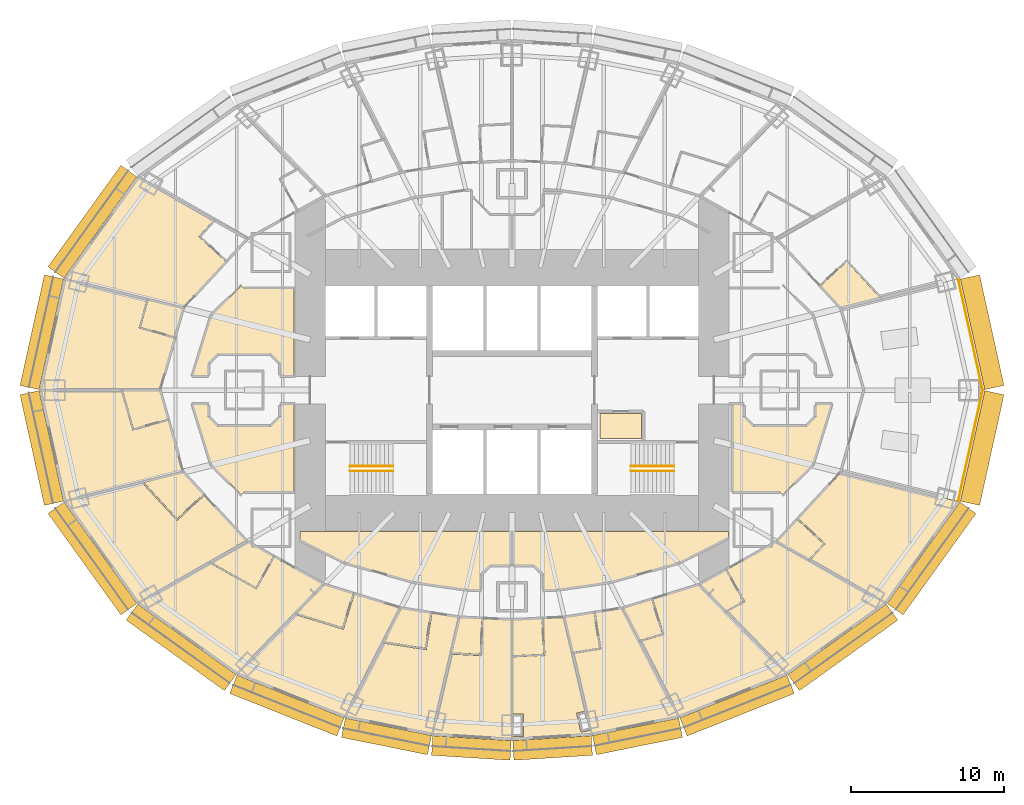
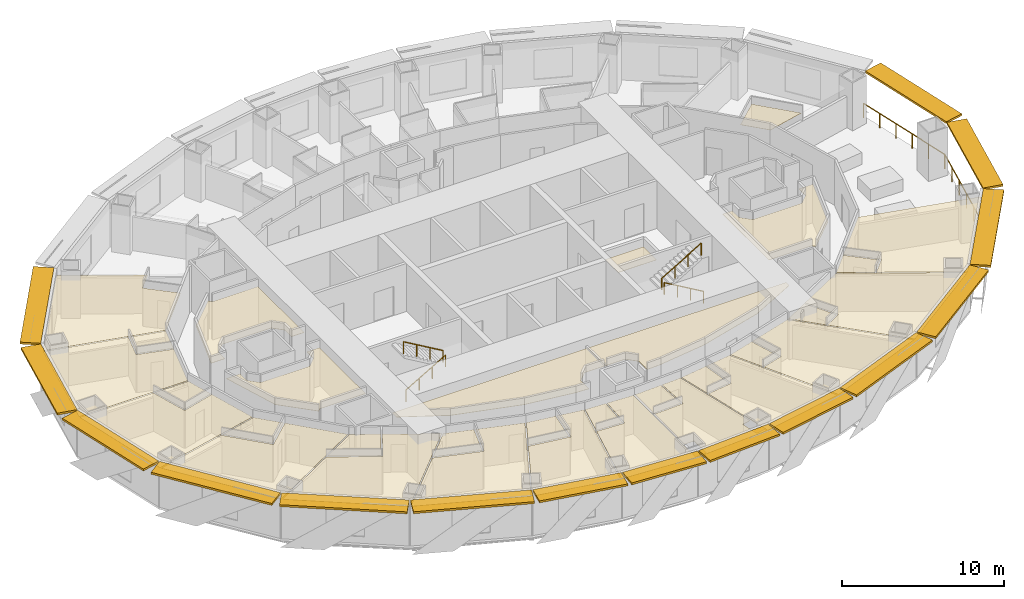
# One storey, part 16 of 17: 32 coverings, 15 shading devices, 6 railings.
"""IFC4 building model written with IfcOpenShell, lengths in metres."""

from ifc_helpers import new_model, si_unit, direction, frame, origin, origin_2d, place, context, subcontext, project, spatial, polyline, rectangle, circle, outline, extrude, material, layer, layer_set, type_object, element, save


model = new_model("IFC4")

# Units and contexts
model_context = context("Model", 3, precision=1e-05, world=origin(), true_north=direction((0.0, 1.0)))
body_context = subcontext(model_context, "Body", "Model", "MODEL_VIEW")
ifc_project = project(units=[si_unit("LENGTHUNIT", "METRE"), si_unit("AREAUNIT", "SQUARE_METRE"), si_unit("VOLUMEUNIT", "CUBIC_METRE"), si_unit("PLANEANGLEUNIT", "RADIAN"), si_unit("MASSUNIT", "GRAM", prefix="KILO")], contexts=[model_context])

# Site, building, storey
site_placement = place(None, origin())
site = spatial("IfcSite", under=ifc_project, at=site_placement, CompositionType="ELEMENT")
building_placement = place(site_placement, origin())
building = spatial("IfcBuilding", under=site, at=building_placement, Name="Lantaw Convention Tower", CompositionType="ELEMENT")
storey_placement = place(building_placement, frame((0.0, 0.0, 69.39990234375)))
storey = spatial("IfcBuildingStorey", under=building, at=storey_placement, Name="L15", CompositionType="ELEMENT", Elevation=69.39990234375)

# Railings
ifc_material_1 = material(Name="Stainless steel", Category="steel")
railing_type_1 = type_object("IfcRailingType", Name="Stair handrail", PredefinedType="HANDRAIL", material=ifc_material_1)
railing_1_placement = place(storey_placement, frame((-10.580078125, -5.280029296875, 0.163818359375)))
element("IfcRailing", 1, at=railing_1_placement, inside=storey, type_object=railing_type_1, Name="Stair handrail S1", PredefinedType="HANDRAIL", context=body_context, shape_type="SweptSolid", body=[
    extrude(circle(Radius=0.02392578125, at=origin_2d()), frame((0.0, 0.0, 0.8759765625), z_axis=(0.863393664356, 0.0, 0.504530851732), x_axis=(0.0, 1.0, 0.0)), (0.0, 0.0, 1.0), 3.2431640625),
    extrude(circle(Radius=0.02099609375, at=origin_2d()), origin(), (0.0, 0.0, 1.0), 0.851806640625),
    extrude(circle(Radius=0.02099609375, at=origin_2d()), frame((0.933349609375, 0.0, 0.54541015625)), (0.0, 0.0, 1.0), 0.851806640625),
    extrude(circle(Radius=0.02099609375, at=origin_2d()), frame((1.86669921875, 0.0, 1.0908203125)), (0.0, 0.0, 1.0), 0.851806640625),
    extrude(circle(Radius=0.02099609375, at=origin_2d()), frame((2.800048828125, 0.0, 1.63623046875)), (0.0, 0.0, 1.0), 0.851806640625),
])
railing_2_placement = place(storey_placement, frame((-7.780029296875, -4.97998046875, 1.963623046875)))
element("IfcRailing", 2, at=railing_2_placement, inside=storey, type_object=railing_type_1, Name="Stair handrail S1", PredefinedType="HANDRAIL", context=body_context, shape_type="SweptSolid", body=[
    extrude(circle(Radius=0.02392578125, at=origin_2d()), frame((0.0, 0.0, 0.8759765625), z_axis=(-0.863360870873, 0.0, 0.504586966384), x_axis=(0.0, -1.0, 0.0)), (0.0, 0.0, 1.0), 3.2431640625),
    extrude(circle(Radius=0.02099609375, at=origin_2d()), origin(), (0.0, 0.0, 1.0), 0.851806640625),
    extrude(circle(Radius=0.02099609375, at=origin_2d()), frame((-0.933349609375, 0.0, 0.54541015625)), (0.0, 0.0, 1.0), 0.851806640625),
    extrude(circle(Radius=0.02099609375, at=origin_2d()), frame((-1.86669921875, 0.0, 1.091064453125)), (0.0, 0.0, 1.0), 0.851806640625),
    extrude(circle(Radius=0.02099609375, at=origin_2d()), frame((-2.800048828125, 0.0, 1.636474609375)), (0.0, 0.0, 1.0), 0.851806640625),
])
railing_3_placement = place(storey_placement, frame((10.580078125, -5.280029296875, 0.163818359375)))
element("IfcRailing", 3, at=railing_3_placement, inside=storey, type_object=railing_type_1, Name="Stair handrail S2", PredefinedType="HANDRAIL", context=body_context, shape_type="SweptSolid", body=[
    extrude(circle(Radius=0.02392578125, at=origin_2d()), frame((0.0, 0.0, 0.8759765625), z_axis=(-0.863393664356, 0.0, 0.504530851732), x_axis=(0.0, -1.0, 0.0)), (0.0, 0.0, 1.0), 3.2431640625),
    extrude(circle(Radius=0.02099609375, at=origin_2d()), origin(), (0.0, 0.0, 1.0), 0.851806640625),
    extrude(circle(Radius=0.02099609375, at=origin_2d()), frame((-0.933349609375, 0.0, 0.54541015625)), (0.0, 0.0, 1.0), 0.851806640625),
    extrude(circle(Radius=0.02099609375, at=origin_2d()), frame((-1.86669921875, 0.0, 1.0908203125)), (0.0, 0.0, 1.0), 0.851806640625),
    extrude(circle(Radius=0.02099609375, at=origin_2d()), frame((-2.800048828125, 0.0, 1.63623046875)), (0.0, 0.0, 1.0), 0.851806640625),
])
railing_4_placement = place(storey_placement, frame((7.780029296875, -4.97998046875, 1.963623046875)))
element("IfcRailing", 4, at=railing_4_placement, inside=storey, type_object=railing_type_1, Name="Stair handrail S2", PredefinedType="HANDRAIL", context=body_context, shape_type="SweptSolid", body=[
    extrude(circle(Radius=0.02392578125, at=origin_2d()), frame((0.0, 0.0, 0.8759765625), z_axis=(0.863360870873, 0.0, 0.504586966384), x_axis=(0.0, 1.0, 0.0)), (0.0, 0.0, 1.0), 3.2431640625),
    extrude(circle(Radius=0.02099609375, at=origin_2d()), origin(), (0.0, 0.0, 1.0), 0.851806640625),
    extrude(circle(Radius=0.02099609375, at=origin_2d()), frame((0.933349609375, 0.0, 0.54541015625)), (0.0, 0.0, 1.0), 0.851806640625),
    extrude(circle(Radius=0.02099609375, at=origin_2d()), frame((1.86669921875, 0.0, 1.091064453125)), (0.0, 0.0, 1.0), 0.851806640625),
    extrude(circle(Radius=0.02099609375, at=origin_2d()), frame((2.800048828125, 0.0, 1.636474609375)), (0.0, 0.0, 1.0), 0.851806640625),
])

# Coverings
ifc_material_2 = material(Name="Gypsum board on steel suspension grid", Category="steel")
ifc_layer = layer(ifc_material_2, 0.02001953125)
ifc_layer_set = layer_set([ifc_layer], Name="Suspended ceiling")
covering_type = type_object("IfcCoveringType", Name="Suspended ceiling", PredefinedType="CEILING", material=ifc_layer_set)
covering_1_placement = place(storey_placement, frame((0.0, 0.0, 2.85009765625)))
element("IfcCovering", 5, at=covering_1_placement, inside=storey, type_object=covering_type, Name="Staff WC ceiling", PredefinedType="CEILING", context=body_context, shape_type="SweptSolid", body=[
    extrude(outline(polyline([(5.739990234375, -3.159912109375), (8.4599609375, -3.159912109375), (8.4599609375, -1.5400390625), (5.739990234375, -1.5400390625), (5.739990234375, -3.159912109375)])), origin(), (0.0, 0.0, 1.0), 0.02001953125),
])
covering_2_placement = place(storey_placement, frame((0.0, 0.0, 2.85009765625)))
element("IfcCovering", 6, at=covering_2_placement, inside=storey, type_object=covering_type, Name="Housekeeping room ceiling", PredefinedType="CEILING", context=body_context, shape_type="SweptSolid", body=[
    extrude(outline(polyline([(-20.8671875, 0.93994140625), (-19.864990234375, 0.93994140625), (-19.864990234375, 1.7412109375), (-19.2412109375, 2.364990234375), (-15.7587890625, 2.364990234375), (-15.135009765625, 1.7412109375), (-15.135009765625, 0.93994140625), (-14.239990234375, 0.93994140625), (-14.239990234375, 6.635009765625), (-17.4912109375, 6.635009765625), (-17.68310546875, 6.8271484375), (-19.6455078125, 4.885498046875), (-20.8671875, 0.93994140625)])), origin(), (0.0, 0.0, 1.0), 0.02001953125),
])
covering_3_placement = place(storey_placement, frame((0.0, 0.0, 2.85009765625)))
element("IfcCovering", 7, at=covering_3_placement, inside=storey, type_object=covering_type, Name="Staff locker room ceiling", PredefinedType="CEILING", context=body_context, shape_type="SweptSolid", body=[
    extrude(outline(polyline([(-10.90966796875, -11.275146484375), (-6.402587890625, -12.542724609375), (-3.0126953125, -13.02587890625), (-2.06494140625, -13.068115234375), (-2.06494140625, -12.058837890625), (-1.441162109375, -11.43505859375), (-0.0400390625, -11.43505859375), (-0.0400390625, -9.239990234375), (-13.860107421875, -9.239990234375), (-13.860107421875, -9.77490234375), (-10.90966796875, -11.275146484375)])), origin(), (0.0, 0.0, 1.0), 0.02001953125),
])
covering_4_placement = place(storey_placement, frame((0.0, 0.0, 2.85009765625)))
element("IfcCovering", 8, at=covering_4_placement, inside=storey, type_object=covering_type, Name="Staff room ceiling", PredefinedType="CEILING", context=body_context, shape_type="SweptSolid", body=[
    extrude(outline(polyline([(-20.8671875, -0.93994140625), (-19.6455078125, -4.885498046875), (-17.68310546875, -6.8271484375), (-17.4912109375, -6.635009765625), (-14.239990234375, -6.635009765625), (-14.239990234375, -0.93994140625), (-15.135009765625, -0.93994140625), (-15.135009765625, -1.7412109375), (-15.7587890625, -2.364990234375), (-19.2412109375, -2.364990234375), (-19.864990234375, -1.7412109375), (-19.864990234375, -0.93994140625), (-20.8671875, -0.93994140625)])), origin(), (0.0, 0.0, 1.0), 0.02001953125),
])
covering_5_placement = place(storey_placement, frame((0.0, 0.0, 2.85009765625)))
element("IfcCovering", 9, at=covering_5_placement, inside=storey, type_object=covering_type, Name="Guest ice and vending room ceiling", PredefinedType="CEILING", context=body_context, shape_type="SweptSolid", body=[
    extrude(outline(polyline([(2.06494140625, -13.068115234375), (3.0126953125, -13.02587890625), (6.402587890625, -12.542724609375), (10.90966796875, -11.275146484375), (14.159912109375, -9.622314453125), (14.159912109375, -9.239990234375), (0.0400390625, -9.239990234375), (0.0400390625, -11.43505859375), (1.441162109375, -11.43505859375), (2.06494140625, -12.058837890625), (2.06494140625, -13.068115234375)])), origin(), (0.0, 0.0, 1.0), 0.02001953125),
])
covering_6_placement = place(storey_placement, frame((0.0, 0.0, 2.85009765625)))
element("IfcCovering", 10, at=covering_6_placement, inside=storey, type_object=covering_type, Name="Room service pantry ceiling", PredefinedType="CEILING", context=body_context, shape_type="SweptSolid", body=[
    extrude(outline(polyline([(19.6455078125, -4.885498046875), (20.8671875, -0.93994140625), (19.864990234375, -0.93994140625), (19.864990234375, -1.7412109375), (19.2412109375, -2.364990234375), (15.7587890625, -2.364990234375), (15.135009765625, -1.7412109375), (15.135009765625, -0.93994140625), (14.43994140625, -0.93994140625), (14.43994140625, -6.635009765625), (17.4912109375, -6.635009765625), (17.68310546875, -6.8271484375), (19.6455078125, -4.885498046875)])), origin(), (0.0, 0.0, 1.0), 0.02001953125),
])
covering_7_placement = place(storey_placement, frame((0.0, 0.0, 2.85009765625)))
element("IfcCovering", 11, at=covering_7_placement, inside=storey, type_object=covering_type, Name="Guest bathroom ceiling", PredefinedType="CEILING", context=body_context, shape_type="SweptSolid", body=[
    extrude(outline(polyline([(21.496826171875, 5.40087890625), (24.064208984375, 6.041015625), (21.88671875, 8.397705078125), (20.182861328125, 6.8232421875), (21.496826171875, 5.40087890625)])), origin(), (0.0, 0.0, 1.0), 0.02001953125),
])
covering_8_placement = place(storey_placement, frame((0.0, 0.0, 2.85009765625)))
element("IfcCovering", 12, at=covering_8_placement, inside=storey, type_object=covering_type, Name="Guest room ceiling", PredefinedType="CEILING", context=body_context, shape_type="SweptSolid", body=[
    extrude(outline(polyline([(-21.496826171875, 5.40087890625), (-18.712890625, 8.4140625), (-20.4755859375, 10.042724609375), (-19.510986328125, 11.086669921875), (-24.423095703125, 13.8564453125), (-29.155029296875, 7.2783203125), (-21.496826171875, 5.40087890625)])), origin(), (0.0, 0.0, 1.0), 0.02001953125),
])
covering_9_placement = place(storey_placement, frame((0.0, 0.0, 2.85009765625)))
element("IfcCovering", 13, at=covering_9_placement, inside=storey, type_object=covering_type, Name="Guest bathroom ceiling", PredefinedType="CEILING", context=body_context, shape_type="SweptSolid", body=[
    extrude(outline(polyline([(-21.533203125, 5.32763671875), (-23.785400390625, 5.88916015625), (-24.288330078125, 4.113525390625), (-22.055908203125, 3.4814453125), (-21.533203125, 5.32763671875)])), origin(), (0.0, 0.0, 1.0), 0.02001953125),
])
covering_10_placement = place(storey_placement, frame((0.0, 0.0, 2.85009765625)))
element("IfcCovering", 14, at=covering_10_placement, inside=storey, type_object=covering_type, Name="Guest room ceiling", PredefinedType="CEILING", context=body_context, shape_type="SweptSolid", body=[
    extrude(outline(polyline([(-23.0302734375, 0.0400390625), (-22.07763671875, 3.404541015625), (-24.386962890625, 4.058349609375), (-23.86572265625, 5.8994140625), (-29.191650390625, 7.205078125), (-30.77099609375, 0.0400390625), (-23.0302734375, 0.0400390625)])), origin(), (0.0, 0.0, 1.0), 0.02001953125),
])
covering_11_placement = place(storey_placement, frame((0.0, 0.0, 2.85009765625)))
element("IfcCovering", 15, at=covering_11_placement, inside=storey, type_object=covering_type, Name="Guest bathroom ceiling", PredefinedType="CEILING", context=body_context, shape_type="SweptSolid", body=[
    extrude(outline(polyline([(-23.0302734375, -0.0400390625), (-25.44140625, -0.0400390625), (-24.73681640625, -2.52880859375), (-22.504638671875, -1.896728515625), (-23.0302734375, -0.0400390625)])), origin(), (0.0, 0.0, 1.0), 0.02001953125),
])
covering_12_placement = place(storey_placement, frame((0.0, 0.0, 2.85009765625)))
element("IfcCovering", 16, at=covering_12_placement, inside=storey, type_object=covering_type, Name="Guest room ceiling", PredefinedType="CEILING", context=body_context, shape_type="SweptSolid", body=[
    extrude(outline(polyline([(-22.48291015625, -1.9736328125), (-24.7919921875, -2.62744140625), (-25.524658203125, -0.0400390625), (-30.77099609375, -0.0400390625), (-29.191650390625, -7.205078125), (-21.533447265625, -5.327392578125), (-22.48291015625, -1.9736328125)])), origin(), (0.0, 0.0, 1.0), 0.02001953125),
])
covering_13_placement = place(storey_placement, frame((0.0, 0.0, 2.85009765625)))
element("IfcCovering", 17, at=covering_13_placement, inside=storey, type_object=covering_type, Name="Guest bathroom ceiling", PredefinedType="CEILING", context=body_context, shape_type="SweptSolid", body=[
    extrude(outline(polyline([(-21.496826171875, -5.40087890625), (-24.064208984375, -6.041015625), (-21.88671875, -8.397705078125), (-20.182861328125, -6.8232421875), (-21.496826171875, -5.40087890625)])), origin(), (0.0, 0.0, 1.0), 0.02001953125),
])
covering_14_placement = place(storey_placement, frame((0.0, 0.0, 2.85009765625)))
element("IfcCovering", 18, at=covering_14_placement, inside=storey, type_object=covering_type, Name="Guest room ceiling", PredefinedType="CEILING", context=body_context, shape_type="SweptSolid", body=[
    extrude(outline(polyline([(-17.36279296875, -9.875244140625), (-20.120361328125, -6.890625), (-21.891845703125, -8.527587890625), (-24.17431640625, -6.057373046875), (-29.155029296875, -7.2783203125), (-24.423095703125, -13.8564453125), (-17.36279296875, -9.875244140625)])), origin(), (0.0, 0.0, 1.0), 0.02001953125),
])
covering_15_placement = place(storey_placement, frame((0.0, 0.0, 2.85009765625)))
element("IfcCovering", 19, at=covering_15_placement, inside=storey, type_object=covering_type, Name="Guest bathroom ceiling", PredefinedType="CEILING", context=body_context, shape_type="SweptSolid", body=[
    extrude(outline(polyline([(-17.298828125, -9.93115234375), (-19.65234375, -11.276123046875), (-16.734619140625, -12.900634765625), (-15.60595703125, -10.87353515625), (-17.298828125, -9.93115234375)])), origin(), (0.0, 0.0, 1.0), 0.02001953125),
])
covering_16_placement = place(storey_placement, frame((0.0, 0.0, 2.85009765625)))
element("IfcCovering", 20, at=covering_16_placement, inside=storey, type_object=covering_type, Name="Guest room ceiling", PredefinedType="CEILING", context=body_context, shape_type="SweptSolid", body=[
    extrude(outline(polyline([(-19.75, -11.313232421875), (-24.3603515625, -13.912841796875), (-17.97509765625, -18.4892578125), (-12.322265625, -12.701904296875), (-15.5361328125, -10.91259765625), (-16.70361328125, -13.00927734375), (-19.75, -11.313232421875)])), origin(), (0.0, 0.0, 1.0), 0.02001953125),
])
covering_17_placement = place(storey_placement, frame((0.0, 0.0, 2.85009765625)))
element("IfcCovering", 21, at=covering_17_placement, inside=storey, type_object=covering_type, Name="Guest bathroom ceiling", PredefinedType="CEILING", context=body_context, shape_type="SweptSolid", body=[
    extrude(outline(polyline([(-12.245361328125, -12.738037109375), (-14.052001953125, -14.60888671875), (-11.0791015625, -15.525146484375), (-10.395751953125, -13.30810546875), (-12.245361328125, -12.738037109375)])), origin(), (0.0, 0.0, 1.0), 0.02001953125),
])
covering_18_placement = place(storey_placement, frame((0.0, 0.0, 2.85009765625)))
element("IfcCovering", 22, at=covering_18_placement, inside=storey, type_object=covering_type, Name="Guest room ceiling", PredefinedType="CEILING", context=body_context, shape_type="SweptSolid", body=[
    extrude(outline(polyline([(-14.140380859375, -14.677978515625), (-17.89990234375, -18.526611328125), (-10.930908203125, -21.294921875), (-7.310302734375, -14.2587890625), (-10.307861328125, -13.3349609375), (-11.01806640625, -15.64013671875), (-14.140380859375, -14.677978515625)])), origin(), (0.0, 0.0, 1.0), 0.02001953125),
])
covering_19_placement = place(storey_placement, frame((0.0, 0.0, 2.85009765625)))
element("IfcCovering", 23, at=covering_19_placement, inside=storey, type_object=covering_type, Name="Guest bathroom ceiling", PredefinedType="CEILING", context=body_context, shape_type="SweptSolid", body=[
    extrude(outline(polyline([(-7.23046875, -14.278564453125), (-8.338623046875, -16.45361328125), (-5.6806640625, -16.868896484375), (-5.322509765625, -14.57666015625), (-7.23046875, -14.278564453125)])), origin(), (0.0, 0.0, 1.0), 0.02001953125),
])
covering_20_placement = place(storey_placement, frame((0.0, 0.0, 2.85009765625)))
element("IfcCovering", 24, at=covering_20_placement, inside=storey, type_object=covering_type, Name="Guest room ceiling", PredefinedType="CEILING", context=body_context, shape_type="SweptSolid", body=[
    extrude(outline(polyline([(-3.47314453125, -14.86572265625), (-5.231689453125, -14.5908203125), (-5.60400390625, -16.97412109375), (-8.393310546875, -16.538330078125), (-10.85205078125, -21.31689453125), (-5.240966796875, -22.448974609375), (-3.47314453125, -14.86572265625)])), origin(), (0.0, 0.0, 1.0), 0.02001953125),
])
covering_21_placement = place(storey_placement, frame((0.0, 0.0, 2.85009765625)))
element("IfcCovering", 25, at=covering_21_placement, inside=storey, type_object=covering_type, Name="Guest bathroom ceiling", PredefinedType="CEILING", context=body_context, shape_type="SweptSolid", body=[
    extrude(outline(polyline([(-3.39306640625, -14.87451171875), (-3.92333984375, -17.17138671875), (-2.081298828125, -17.26123046875), (-1.968017578125, -14.94384765625), (-3.39306640625, -14.87451171875)])), origin(), (0.0, 0.0, 1.0), 0.02001953125),
])
covering_22_placement = place(storey_placement, frame((0.0, 0.0, 2.85009765625)))
element("IfcCovering", 26, at=covering_22_placement, inside=storey, type_object=covering_type, Name="Guest room ceiling", PredefinedType="CEILING", context=body_context, shape_type="SweptSolid", body=[
    extrude(outline(polyline([(-0.0400390625, -15.0380859375), (-1.876220703125, -14.948486328125), (-1.993896484375, -17.357666015625), (-3.94970703125, -17.26220703125), (-5.1611328125, -22.458984375), (-0.0400390625, -22.781982421875), (-0.0400390625, -15.0380859375)])), origin(), (0.0, 0.0, 1.0), 0.02001953125),
])
covering_23_placement = place(storey_placement, frame((0.0, 0.0, 2.85009765625)))
element("IfcCovering", 27, at=covering_23_placement, inside=storey, type_object=covering_type, Name="Guest bathroom ceiling", PredefinedType="CEILING", context=body_context, shape_type="SweptSolid", body=[
    extrude(outline(polyline([(0.0400390625, -15.0380859375), (0.0400390625, -17.36083984375), (2.07275390625, -17.26171875), (1.959716796875, -14.9443359375), (0.0400390625, -15.0380859375)])), origin(), (0.0, 0.0, 1.0), 0.02001953125),
])
covering_24_placement = place(storey_placement, frame((0.0, 0.0, 2.85009765625)))
element("IfcCovering", 28, at=covering_24_placement, inside=storey, type_object=covering_type, Name="Guest room ceiling", PredefinedType="CEILING", context=body_context, shape_type="SweptSolid", body=[
    extrude(outline(polyline([(2.03955078125, -14.9404296875), (2.156494140625, -17.337646484375), (0.0400390625, -17.44091796875), (0.0400390625, -21.159912109375), (0.739990234375, -21.159912109375), (0.739990234375, -22.639892578125), (0.0400390625, -22.639892578125), (0.0400390625, -22.781982421875), (5.1611328125, -22.458984375), (5.10693359375, -22.22705078125), (4.506591796875, -22.365478515625), (4.21875, -21.118408203125), (4.81640625, -20.98046875), (3.39306640625, -14.87451171875), (2.03955078125, -14.9404296875)])), origin(), (0.0, 0.0, 1.0), 0.02001953125),
])
covering_25_placement = place(storey_placement, frame((0.0, 0.0, 2.85009765625)))
element("IfcCovering", 29, at=covering_25_placement, inside=storey, type_object=covering_type, Name="Guest bathroom ceiling", PredefinedType="CEILING", context=body_context, shape_type="SweptSolid", body=[
    extrude(outline(polyline([(3.47314453125, -14.86572265625), (3.996337890625, -17.132080078125), (5.725341796875, -16.862060546875), (5.3671875, -14.56982421875), (3.47314453125, -14.86572265625)])), origin(), (0.0, 0.0, 1.0), 0.02001953125),
])
covering_26_placement = place(storey_placement, frame((0.0, 0.0, 2.85009765625)))
element("IfcCovering", 30, at=covering_26_placement, inside=storey, type_object=covering_type, Name="Guest room ceiling", PredefinedType="CEILING", context=body_context, shape_type="SweptSolid", body=[
    extrude(outline(polyline([(7.23046875, -14.278564453125), (5.446044921875, -14.557373046875), (5.816650390625, -16.9287109375), (4.01953125, -17.20947265625), (5.240966796875, -22.448974609375), (10.85205078125, -21.31689453125), (7.23046875, -14.278564453125)])), origin(), (0.0, 0.0, 1.0), 0.02001953125),
])
covering_27_placement = place(storey_placement, frame((0.0, 0.0, 2.85009765625)))
element("IfcCovering", 31, at=covering_27_placement, inside=storey, type_object=covering_type, Name="Guest bathroom ceiling", PredefinedType="CEILING", context=body_context, shape_type="SweptSolid", body=[
    extrude(outline(polyline([(7.31005859375, -14.2587890625), (8.379150390625, -16.357177734375), (9.821044921875, -15.912841796875), (9.1376953125, -13.695556640625), (7.31005859375, -14.2587890625)])), origin(), (0.0, 0.0, 1.0), 0.02001953125),
])
covering_28_placement = place(storey_placement, frame((0.0, 0.0, 2.85009765625)))
element("IfcCovering", 32, at=covering_28_placement, inside=storey, type_object=covering_type, Name="Guest room ceiling", PredefinedType="CEILING", context=body_context, shape_type="SweptSolid", body=[
    extrude(outline(polyline([(12.24560546875, -12.738037109375), (9.214111328125, -13.672119140625), (9.921142578125, -15.965576171875), (8.42578125, -16.426513671875), (10.930908203125, -21.294921875), (17.89990234375, -18.526611328125), (12.24560546875, -12.738037109375)])), origin(), (0.0, 0.0, 1.0), 0.02001953125),
])
covering_29_placement = place(storey_placement, frame((0.0, 0.0, 2.85009765625)))
element("IfcCovering", 33, at=covering_29_placement, inside=storey, type_object=covering_type, Name="Guest bathroom ceiling", PredefinedType="CEILING", context=body_context, shape_type="SweptSolid", body=[
    extrude(outline(polyline([(12.322021484375, -12.7021484375), (13.989501953125, -14.428955078125), (15.117431640625, -13.801025390625), (13.989013671875, -11.77392578125), (12.322021484375, -12.7021484375)])), origin(), (0.0, 0.0, 1.0), 0.02001953125),
])
covering_30_placement = place(storey_placement, frame((0.0, 0.0, 2.85009765625)))
element("IfcCovering", 34, at=covering_30_placement, inside=storey, type_object=covering_type, Name="Guest room ceiling", PredefinedType="CEILING", context=body_context, shape_type="SweptSolid", body=[
    extrude(outline(polyline([(14.058837890625, -11.735107421875), (15.226318359375, -13.83203125), (14.06005859375, -14.481201171875), (17.97509765625, -18.4892578125), (24.3603515625, -13.912841796875), (17.298828125, -9.930908203125), (14.058837890625, -11.735107421875)])), origin(), (0.0, 0.0, 1.0), 0.02001953125),
])
covering_31_placement = place(storey_placement, frame((0.0, 0.0, 2.85009765625)))
element("IfcCovering", 35, at=covering_31_placement, inside=storey, type_object=covering_type, Name="Guest bathroom ceiling", PredefinedType="CEILING", context=body_context, shape_type="SweptSolid", body=[
    extrude(outline(polyline([(17.362548828125, -9.87548828125), (19.4296875, -11.056640625), (20.362548828125, -10.047119140625), (18.658447265625, -8.47265625), (17.362548828125, -9.87548828125)])), origin(), (0.0, 0.0, 1.0), 0.02001953125),
])
covering_32_placement = place(storey_placement, frame((0.0, 0.0, 2.85009765625)))
element("IfcCovering", 36, at=covering_32_placement, inside=storey, type_object=covering_type, Name="Guest room ceiling", PredefinedType="CEILING", context=body_context, shape_type="SweptSolid", body=[
    extrude(outline(polyline([(21.496826171875, -5.40087890625), (18.712890625, -8.4140625), (20.4755859375, -10.042724609375), (19.510986328125, -11.086669921875), (24.423095703125, -13.8564453125), (29.155029296875, -7.2783203125), (21.496826171875, -5.40087890625)])), origin(), (0.0, 0.0, 1.0), 0.02001953125),
])

# Railings
ifc_material_3 = material(Name="Stainless steel posts and laminated glass, pale silver finish", Category="steel")
railing_type_2 = type_object("IfcRailingType", Name="Terrace guard railing 1100", PredefinedType="GUARDRAIL", material=ifc_material_3)
railing_5_placement = place(storey_placement, frame((30.76953125, 0.0, 0.0)))
element("IfcRailing", 37, at=railing_5_placement, inside=storey, type_object=railing_type_2, Name="Sky garden guard", PredefinedType="GUARDRAIL", context=body_context, shape_type="SweptSolid", body=[
    extrude(circle(Radius=0.02392578125, at=origin_2d()), frame((0.0, 0.0, 1.076171875), z_axis=(-0.215247863414, 0.976559448931, 0.0), x_axis=(-0.976559448931, -0.215247863414, 0.0)), (0.0, 0.0, 1.0), 7.406494140625),
    extrude(circle(Radius=0.02099609375, at=origin_2d()), origin(), (0.0, 0.0, 1.0), 1.052001953125),
    extrude(circle(Radius=0.02099609375, at=origin_2d()), frame((-0.31884765625, 1.446533203125, 0.0)), (0.0, 0.0, 1.0), 1.052001953125),
    extrude(circle(Radius=0.02099609375, at=origin_2d()), frame((-0.6376953125, 2.89306640625, 0.0)), (0.0, 0.0, 1.0), 1.052001953125),
    extrude(circle(Radius=0.02099609375, at=origin_2d()), frame((-0.95654296875, 4.33984375, 0.0)), (0.0, 0.0, 1.0), 1.052001953125),
    extrude(circle(Radius=0.02099609375, at=origin_2d()), frame((-1.275390625, 5.786376953125, 0.0)), (0.0, 0.0, 1.0), 1.052001953125),
    extrude(circle(Radius=0.02099609375, at=origin_2d()), frame((-1.59423828125, 7.23291015625, 0.0)), (0.0, 0.0, 1.0), 1.052001953125),
])
railing_6_placement = place(storey_placement, frame((29.17529296875, -7.23291015625, 0.0)))
element("IfcRailing", 38, at=railing_6_placement, inside=storey, type_object=railing_type_2, Name="Sky garden guard", PredefinedType="GUARDRAIL", context=body_context, shape_type="SweptSolid", body=[
    extrude(circle(Radius=0.02392578125, at=origin_2d()), frame((0.0, 0.0, 1.076171875), z_axis=(0.215247863414, 0.976559448931, 0.0), x_axis=(-0.976559448931, 0.215247863414, 0.0)), (0.0, 0.0, 1.0), 7.406494140625),
    extrude(circle(Radius=0.02099609375, at=origin_2d()), origin(), (0.0, 0.0, 1.0), 1.052001953125),
    extrude(circle(Radius=0.02099609375, at=origin_2d()), frame((0.31884765625, 1.446533203125, 0.0)), (0.0, 0.0, 1.0), 1.052001953125),
    extrude(circle(Radius=0.02099609375, at=origin_2d()), frame((0.6376953125, 2.89306640625, 0.0)), (0.0, 0.0, 1.0), 1.052001953125),
    extrude(circle(Radius=0.02099609375, at=origin_2d()), frame((0.95654296875, 4.33984375, 0.0)), (0.0, 0.0, 1.0), 1.052001953125),
    extrude(circle(Radius=0.02099609375, at=origin_2d()), frame((1.275390625, 5.786376953125, 0.0)), (0.0, 0.0, 1.0), 1.052001953125),
    extrude(circle(Radius=0.02099609375, at=origin_2d()), frame((1.59423828125, 7.23291015625, 0.0)), (0.0, 0.0, 1.0), 1.052001953125),
])

# Shading devices
shading_device_1_placement = place(storey_placement, frame((30.737060546875, 3.783203125, 3.30517578125), z_axis=(0.0, 0.0, 1.0), x_axis=(-0.215246056391, 0.976559847223, 0.0)))
element("IfcShadingDevice", 39, at=shading_device_1_placement, inside=storey, Name="SUNSHADE blade", ObjectType="SUNSHADE", PredefinedType="USERDEFINED", context=body_context, shape_type="SweptSolid", body=[
    extrude(rectangle(XDim=7.40234375, YDim=1.284912109375, at=origin_2d()), origin(), (0.0, 0.0, 1.0), 0.14990234375),
])
shading_device_2_placement = place(storey_placement, frame((-27.425048828125, 11.005859375, 3.30517578125), z_axis=(0.0, 0.0, 1.0), x_axis=(-0.583951250436, -0.811788726895, 0.0)))
element("IfcShadingDevice", 40, at=shading_device_2_placement, inside=storey, Name="SUNSHADE blade", ObjectType="SUNSHADE", PredefinedType="USERDEFINED", context=body_context, shape_type="SweptSolid", body=[
    extrude(rectangle(XDim=8.162841796875, YDim=1.284912109375, at=origin_2d()), origin(), (0.0, 0.0, 1.0), 0.14990234375),
])
for number, where, z_axis, x_axis, name in (
    (41, (-30.737060546875, 3.783203125, 3.30517578125), (0.0, 0.0, 1.0), (-0.215246056391, -0.976559847223, 0.0), "SUNSHADE blade"),
    (42, (-30.737060546875, -3.783203125, 3.30517578125), (0.0, 0.0, 1.0), (0.215246056391, -0.976559847223, 0.0), "SUNSHADE blade"),
):
    element("IfcShadingDevice", number, at=place(storey_placement, frame(where, z_axis=z_axis, x_axis=x_axis)), inside=storey, Name=name, ObjectType="SUNSHADE", PredefinedType="USERDEFINED", context=body_context, shape_type="SweptSolid", body=[
        extrude(rectangle(XDim=7.40234375, YDim=1.284912109375, at=origin_2d()), origin(), (0.0, 0.0, 1.0), 0.14990234375),
    ])
shading_device_3_placement = place(storey_placement, frame((-27.425048828125, -11.005859375, 3.30517578125), z_axis=(0.0, 0.0, 1.0), x_axis=(0.583951250436, -0.811788726895, 0.0)))
element("IfcShadingDevice", 43, at=shading_device_3_placement, inside=storey, Name="SUNSHADE blade", ObjectType="SUNSHADE", PredefinedType="USERDEFINED", context=body_context, shape_type="SweptSolid", body=[
    extrude(rectangle(XDim=8.162841796875, YDim=1.284912109375, at=origin_2d()), origin(), (0.0, 0.0, 1.0), 0.14990234375),
])
shading_device_4_placement = place(storey_placement, frame((-21.63232421875, -16.818603515625, 3.30517578125), z_axis=(0.0, 0.0, 1.0), x_axis=(0.812803733199, -0.5825376308, 0.0)))
element("IfcShadingDevice", 44, at=shading_device_4_placement, inside=storey, Name="SUNSHADE blade", ObjectType="SUNSHADE", PredefinedType="USERDEFINED", context=body_context, shape_type="SweptSolid", body=[
    extrude(rectangle(XDim=7.9033203125, YDim=1.284912109375, at=origin_2d()), origin(), (0.0, 0.0, 1.0), 0.14990234375),
])
shading_device_5_placement = place(storey_placement, frame((-14.71435546875, -20.623291015625, 3.30517578125), z_axis=(0.0, 0.0, 1.0), x_axis=(0.929361152748, -0.369171840425, 0.0)))
element("IfcShadingDevice", 45, at=shading_device_5_placement, inside=storey, Name="SUNSHADE blade", ObjectType="SUNSHADE", PredefinedType="USERDEFINED", context=body_context, shape_type="SweptSolid", body=[
    extrude(rectangle(XDim=7.5322265625, YDim=1.284912109375, at=origin_2d()), origin(), (0.0, 0.0, 1.0), 0.14990234375),
])
shading_device_6_placement = place(storey_placement, frame((-8.2080078125, -22.638427734375, 3.30517578125), z_axis=(0.0, 0.0, 1.0), x_axis=(0.980244604501, -0.197789067813, 0.0)))
element("IfcShadingDevice", 46, at=shading_device_6_placement, inside=storey, Name="SUNSHADE blade", ObjectType="SUNSHADE", PredefinedType="USERDEFINED", context=body_context, shape_type="SweptSolid", body=[
    extrude(rectangle(XDim=5.74365234375, YDim=1.284912109375, at=origin_2d()), origin(), (0.0, 0.0, 1.0), 0.14990234375),
])
for number, where, z_axis, x_axis, name in (
    (47, (-2.65185546875, -23.391357421875, 3.30517578125), (0.0, 0.0, 1.0), (0.998016153807, -0.062958373078, 0.0), "SUNSHADE blade"),
    (48, (2.65185546875, -23.391357421875, 3.30517578125), (0.0, 0.0, 1.0), (0.998016153807, 0.062958373078, 0.0), "SUNSHADE blade"),
):
    element("IfcShadingDevice", number, at=place(storey_placement, frame(where, z_axis=z_axis, x_axis=x_axis)), inside=storey, Name=name, ObjectType="SUNSHADE", PredefinedType="USERDEFINED", context=body_context, shape_type="SweptSolid", body=[
        extrude(rectangle(XDim=5.14404296875, YDim=1.284912109375, at=origin_2d()), origin(), (0.0, 0.0, 1.0), 0.14990234375),
    ])
shading_device_7_placement = place(storey_placement, frame((8.2080078125, -22.638427734375, 3.30517578125), z_axis=(0.0, 0.0, 1.0), x_axis=(0.980244604501, 0.197789067813, 0.0)))
element("IfcShadingDevice", 49, at=shading_device_7_placement, inside=storey, Name="SUNSHADE blade", ObjectType="SUNSHADE", PredefinedType="USERDEFINED", context=body_context, shape_type="SweptSolid", body=[
    extrude(rectangle(XDim=5.74365234375, YDim=1.284912109375, at=origin_2d()), origin(), (0.0, 0.0, 1.0), 0.14990234375),
])
shading_device_8_placement = place(storey_placement, frame((14.71435546875, -20.623291015625, 3.30517578125), z_axis=(0.0, 0.0, 1.0), x_axis=(0.929361152748, 0.369171840425, 0.0)))
element("IfcShadingDevice", 50, at=shading_device_8_placement, inside=storey, Name="SUNSHADE blade", ObjectType="SUNSHADE", PredefinedType="USERDEFINED", context=body_context, shape_type="SweptSolid", body=[
    extrude(rectangle(XDim=7.5322265625, YDim=1.284912109375, at=origin_2d()), origin(), (0.0, 0.0, 1.0), 0.14990234375),
])
shading_device_9_placement = place(storey_placement, frame((21.63232421875, -16.818603515625, 3.30517578125), z_axis=(0.0, 0.0, 1.0), x_axis=(0.812803733199, 0.5825376308, 0.0)))
element("IfcShadingDevice", 51, at=shading_device_9_placement, inside=storey, Name="SUNSHADE blade", ObjectType="SUNSHADE", PredefinedType="USERDEFINED", context=body_context, shape_type="SweptSolid", body=[
    extrude(rectangle(XDim=7.9033203125, YDim=1.284912109375, at=origin_2d()), origin(), (0.0, 0.0, 1.0), 0.14990234375),
])
shading_device_10_placement = place(storey_placement, frame((27.425048828125, -11.005859375, 3.30517578125), z_axis=(0.0, 0.0, 1.0), x_axis=(0.583951250436, 0.811788726895, 0.0)))
element("IfcShadingDevice", 52, at=shading_device_10_placement, inside=storey, Name="SUNSHADE blade", ObjectType="SUNSHADE", PredefinedType="USERDEFINED", context=body_context, shape_type="SweptSolid", body=[
    extrude(rectangle(XDim=8.162841796875, YDim=1.284912109375, at=origin_2d()), origin(), (0.0, 0.0, 1.0), 0.14990234375),
])
shading_device_11_placement = place(storey_placement, frame((30.737060546875, -3.783203125, 3.30517578125), z_axis=(0.0, 0.0, 1.0), x_axis=(0.215246056391, 0.976559847223, 0.0)))
element("IfcShadingDevice", 53, at=shading_device_11_placement, inside=storey, Name="SUNSHADE blade", ObjectType="SUNSHADE", PredefinedType="USERDEFINED", context=body_context, shape_type="SweptSolid", body=[
    extrude(rectangle(XDim=7.40234375, YDim=1.284912109375, at=origin_2d()), origin(), (0.0, 0.0, 1.0), 0.14990234375),
])

save(model, "model.ifc")
